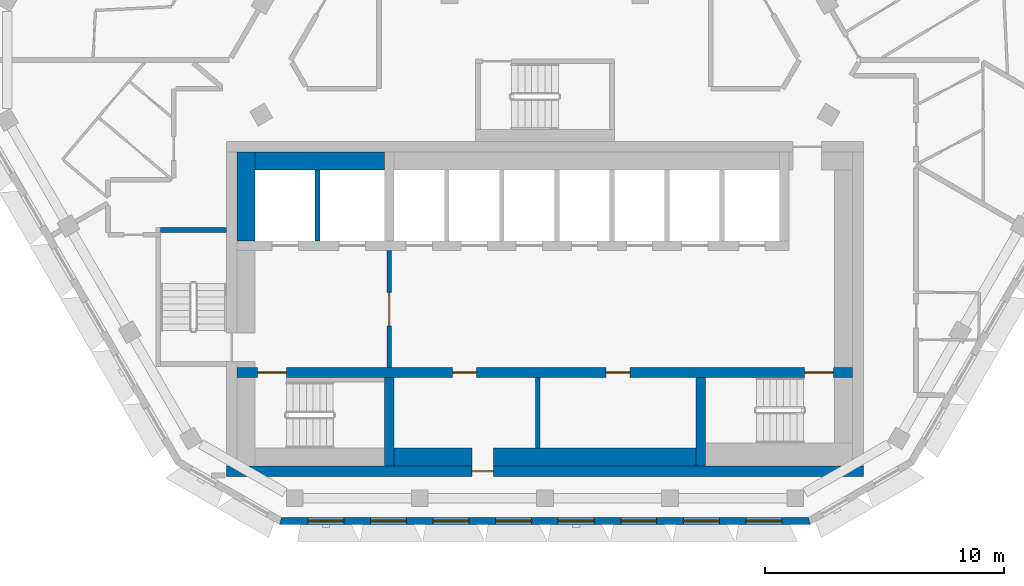
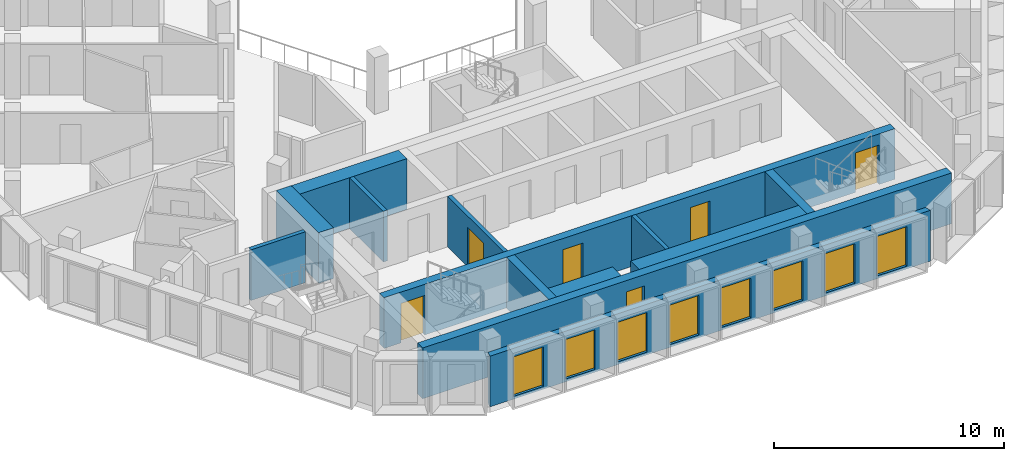
# One storey, part 3 of 16: 13 walls, 8 windows, 6 doors, 14 openings.
"""IFC4 building model written with IfcOpenShell, lengths in metres."""

from ifc_helpers import new_model, si_unit, direction, frame, frame_2d, origin, place, context, subcontext, project, spatial, polyline, rectangle, outline, extrude, material, layer, layer_set, type_object, element, fill, save


model = new_model("IFC4")

# Units and contexts
model_context = context("Model", 3, precision=1e-05, world=origin(), true_north=direction((0.0, 1.0)))
body_context = subcontext(model_context, "Body", "Model", "MODEL_VIEW")
ifc_project = project(units=[si_unit("LENGTHUNIT", "METRE"), si_unit("AREAUNIT", "SQUARE_METRE"), si_unit("VOLUMEUNIT", "CUBIC_METRE"), si_unit("PLANEANGLEUNIT", "RADIAN"), si_unit("MASSUNIT", "GRAM", prefix="KILO")], contexts=[model_context])

# Site, building, storey
site_placement = place(None, origin())
site = spatial("IfcSite", under=ifc_project, at=site_placement, CompositionType="ELEMENT")
building_placement = place(site_placement, origin())
building = spatial("IfcBuilding", under=site, at=building_placement, Name="Beryl Residences", CompositionType="ELEMENT")
storey_placement = place(building_placement, frame((0.0, 0.0, 238.800048828125)))
storey = spatial("IfcBuildingStorey", under=building, at=storey_placement, Name="L74", CompositionType="ELEMENT", Elevation=238.800048828125)

# Wall, openings, windows
ifc_material_1 = material(Name="Composite metal panel with mineral wool insulation")
ifc_layer_1 = layer(ifc_material_1, 0.300048828125)
ifc_layer_set_1 = layer_set([ifc_layer_1], Name="ES1 pale metal composite panel wall 300 mm")
wall_type_1 = type_object("IfcWallType", Name="ES1 pale metal composite panel wall 300 mm", PredefinedType="SOLIDWALL", material=ifc_layer_set_1)
wall_1_placement = place(storey_placement, frame((-11.0849609375, -20.85009765625, 0.0), z_axis=(0.0, 0.0, 1.0), x_axis=(1.0, 0.0, 0.0)))
wall_1 = element("IfcWall", 1, at=wall_1_placement, inside=storey, type_object=wall_type_1, Name="ES1 external wall L74 S", PredefinedType="SOLIDWALL", context=body_context, shape_type="SweptSolid", body=[
    extrude(outline(polyline([(0.0, -0.14990234375), (22.169921875, -0.14990234375), (22.089599609375, 0.14990234375), (0.080322265625, 0.14990234375), (0.0, -0.14990234375)])), origin(), (0.0, 0.0, 1.0), 2.699951171875),
])
opening_1_placement = place(wall_1_placement, frame((1.19091796875, 0.0, 0.14990234375)))
opening_1 = element("IfcOpeningElement", 2, at=opening_1_placement, cuts=wall_1, Name="Opening W1", PredefinedType="OPENING", context=body_context, shape_type="SweptSolid", body=[
    extrude(rectangle(XDim=1.5, YDim=2.10009765625, at=frame_2d((0.75, 1.050048828125))), frame((0.0, 0.159912109375, 0.0), z_axis=(0.0, -1.0, 0.0), x_axis=(1.0, 0.0, 0.0)), (0.0, 0.0, 1.0), 0.320068359375),
])
opening_2_placement = place(wall_1_placement, frame((3.803955078125, 0.0, 0.14990234375)))
opening_2 = element("IfcOpeningElement", 3, at=opening_2_placement, cuts=wall_1, Name="Opening W1", PredefinedType="OPENING", context=body_context, shape_type="SweptSolid", body=[
    extrude(rectangle(XDim=1.5, YDim=2.10009765625, at=frame_2d((0.75, 1.050048828125))), frame((0.0, 0.159912109375, 0.0), z_axis=(0.0, -1.0, 0.0), x_axis=(1.0, 0.0, 0.0)), (0.0, 0.0, 1.0), 0.320068359375),
])
opening_3_placement = place(wall_1_placement, frame((6.416015625, 0.0, 0.14990234375)))
opening_3 = element("IfcOpeningElement", 4, at=opening_3_placement, cuts=wall_1, Name="Opening W1", PredefinedType="OPENING", context=body_context, shape_type="SweptSolid", body=[
    extrude(rectangle(XDim=1.5, YDim=2.10009765625, at=frame_2d((0.75, 1.050048828125))), frame((0.0, 0.159912109375, 0.0), z_axis=(0.0, -1.0, 0.0), x_axis=(1.0, 0.0, 0.0)), (0.0, 0.0, 1.0), 0.320068359375),
])
opening_4_placement = place(wall_1_placement, frame((9.029052734375, 0.0, 0.14990234375)))
opening_4 = element("IfcOpeningElement", 5, at=opening_4_placement, cuts=wall_1, Name="Opening W1", PredefinedType="OPENING", context=body_context, shape_type="SweptSolid", body=[
    extrude(rectangle(XDim=1.5, YDim=2.10009765625, at=frame_2d((0.75, 1.050048828125))), frame((0.0, 0.159912109375, 0.0), z_axis=(0.0, -1.0, 0.0), x_axis=(1.0, 0.0, 0.0)), (0.0, 0.0, 1.0), 0.320068359375),
])
opening_5_placement = place(wall_1_placement, frame((11.64111328125, 0.0, 0.14990234375)))
opening_5 = element("IfcOpeningElement", 6, at=opening_5_placement, cuts=wall_1, Name="Opening W1", PredefinedType="OPENING", context=body_context, shape_type="SweptSolid", body=[
    extrude(rectangle(XDim=1.5, YDim=2.10009765625, at=frame_2d((0.75, 1.050048828125))), frame((0.0, 0.159912109375, 0.0), z_axis=(0.0, -1.0, 0.0), x_axis=(1.0, 0.0, 0.0)), (0.0, 0.0, 1.0), 0.320068359375),
])
opening_6_placement = place(wall_1_placement, frame((14.25390625, 0.0, 0.14990234375)))
opening_6 = element("IfcOpeningElement", 7, at=opening_6_placement, cuts=wall_1, Name="Opening W1", PredefinedType="OPENING", context=body_context, shape_type="SweptSolid", body=[
    extrude(rectangle(XDim=1.5, YDim=2.10009765625, at=frame_2d((0.75, 1.050048828125))), frame((0.0, 0.159912109375, 0.0), z_axis=(0.0, -1.0, 0.0), x_axis=(1.0, 0.0, 0.0)), (0.0, 0.0, 1.0), 0.320068359375),
])
opening_7_placement = place(wall_1_placement, frame((16.865966796875, 0.0, 0.14990234375)))
opening_7 = element("IfcOpeningElement", 8, at=opening_7_placement, cuts=wall_1, Name="Opening W1", PredefinedType="OPENING", context=body_context, shape_type="SweptSolid", body=[
    extrude(rectangle(XDim=1.5, YDim=2.10009765625, at=frame_2d((0.75, 1.050048828125))), frame((0.0, 0.159912109375, 0.0), z_axis=(0.0, -1.0, 0.0), x_axis=(1.0, 0.0, 0.0)), (0.0, 0.0, 1.0), 0.320068359375),
])
opening_8_placement = place(wall_1_placement, frame((19.47900390625, 0.0, 0.14990234375)))
opening_8 = element("IfcOpeningElement", 9, at=opening_8_placement, cuts=wall_1, Name="Opening W1", PredefinedType="OPENING", context=body_context, shape_type="SweptSolid", body=[
    extrude(rectangle(XDim=1.5, YDim=2.10009765625, at=frame_2d((0.75, 1.050048828125))), frame((0.0, 0.159912109375, 0.0), z_axis=(0.0, -1.0, 0.0), x_axis=(1.0, 0.0, 0.0)), (0.0, 0.0, 1.0), 0.320068359375),
])
ifc_material_2 = material(Name="Aluminium and clear glass", Category="aluminium")
window_type = type_object("IfcWindowType", Name="W1 cell window 1500 x 2100 mm", PartitioningType="SINGLE_PANEL", PredefinedType="WINDOW", material=ifc_material_2)
window_1_placement = place(opening_1_placement, origin())
window_1 = element("IfcWindow", 10, at=window_1_placement, inside=storey, type_object=window_type, Name="W1 window L74 S 1", OverallHeight=2.10009765625, OverallWidth=1.5, PartitioningType="SINGLE_PANEL", PredefinedType="WINDOW", context=body_context, shape_type="SweptSolid", body=[
    extrude(rectangle(XDim=1.5, YDim=2.10009765625, at=frame_2d((0.75, 1.050048828125))), frame((0.0, 0.030029296875, 0.0), z_axis=(0.0, -1.0, 0.0), x_axis=(1.0, 0.0, 0.0)), (0.0, 0.0, 1.0), 0.06005859375),
])
fill(opening_1, window_1)
window_2_placement = place(opening_2_placement, origin())
window_2 = element("IfcWindow", 11, at=window_2_placement, inside=storey, type_object=window_type, Name="W1 window L74 S 2", OverallHeight=2.10009765625, OverallWidth=1.5, PartitioningType="SINGLE_PANEL", PredefinedType="WINDOW", context=body_context, shape_type="SweptSolid", body=[
    extrude(rectangle(XDim=1.5, YDim=2.10009765625, at=frame_2d((0.75, 1.050048828125))), frame((0.0, 0.030029296875, 0.0), z_axis=(0.0, -1.0, 0.0), x_axis=(1.0, 0.0, 0.0)), (0.0, 0.0, 1.0), 0.06005859375),
])
fill(opening_2, window_2)
window_3_placement = place(opening_3_placement, origin())
window_3 = element("IfcWindow", 12, at=window_3_placement, inside=storey, type_object=window_type, Name="W1 window L74 S 3", OverallHeight=2.10009765625, OverallWidth=1.5, PartitioningType="SINGLE_PANEL", PredefinedType="WINDOW", context=body_context, shape_type="SweptSolid", body=[
    extrude(rectangle(XDim=1.5, YDim=2.10009765625, at=frame_2d((0.75, 1.050048828125))), frame((0.0, 0.030029296875, 0.0), z_axis=(0.0, -1.0, 0.0), x_axis=(1.0, 0.0, 0.0)), (0.0, 0.0, 1.0), 0.06005859375),
])
fill(opening_3, window_3)
window_4_placement = place(opening_4_placement, origin())
window_4 = element("IfcWindow", 13, at=window_4_placement, inside=storey, type_object=window_type, Name="W1 window L74 S 4", OverallHeight=2.10009765625, OverallWidth=1.5, PartitioningType="SINGLE_PANEL", PredefinedType="WINDOW", context=body_context, shape_type="SweptSolid", body=[
    extrude(rectangle(XDim=1.5, YDim=2.10009765625, at=frame_2d((0.75, 1.050048828125))), frame((0.0, 0.030029296875, 0.0), z_axis=(0.0, -1.0, 0.0), x_axis=(1.0, 0.0, 0.0)), (0.0, 0.0, 1.0), 0.06005859375),
])
fill(opening_4, window_4)
window_5_placement = place(opening_5_placement, origin())
window_5 = element("IfcWindow", 14, at=window_5_placement, inside=storey, type_object=window_type, Name="W1 window L74 S 5", OverallHeight=2.10009765625, OverallWidth=1.5, PartitioningType="SINGLE_PANEL", PredefinedType="WINDOW", context=body_context, shape_type="SweptSolid", body=[
    extrude(rectangle(XDim=1.5, YDim=2.10009765625, at=frame_2d((0.75, 1.050048828125))), frame((0.0, 0.030029296875, 0.0), z_axis=(0.0, -1.0, 0.0), x_axis=(1.0, 0.0, 0.0)), (0.0, 0.0, 1.0), 0.06005859375),
])
fill(opening_5, window_5)
window_6_placement = place(opening_6_placement, origin())
window_6 = element("IfcWindow", 15, at=window_6_placement, inside=storey, type_object=window_type, Name="W1 window L74 S 6", OverallHeight=2.10009765625, OverallWidth=1.5, PartitioningType="SINGLE_PANEL", PredefinedType="WINDOW", context=body_context, shape_type="SweptSolid", body=[
    extrude(rectangle(XDim=1.5, YDim=2.10009765625, at=frame_2d((0.75, 1.050048828125))), frame((0.0, 0.030029296875, 0.0), z_axis=(0.0, -1.0, 0.0), x_axis=(1.0, 0.0, 0.0)), (0.0, 0.0, 1.0), 0.06005859375),
])
fill(opening_6, window_6)
window_7_placement = place(opening_7_placement, origin())
window_7 = element("IfcWindow", 16, at=window_7_placement, inside=storey, type_object=window_type, Name="W1 window L74 S 7", OverallHeight=2.10009765625, OverallWidth=1.5, PartitioningType="SINGLE_PANEL", PredefinedType="WINDOW", context=body_context, shape_type="SweptSolid", body=[
    extrude(rectangle(XDim=1.5, YDim=2.10009765625, at=frame_2d((0.75, 1.050048828125))), frame((0.0, 0.030029296875, 0.0), z_axis=(0.0, -1.0, 0.0), x_axis=(1.0, 0.0, 0.0)), (0.0, 0.0, 1.0), 0.06005859375),
])
fill(opening_7, window_7)
window_8_placement = place(opening_8_placement, origin())
window_8 = element("IfcWindow", 17, at=window_8_placement, inside=storey, type_object=window_type, Name="W1 window L74 S 8", OverallHeight=2.10009765625, OverallWidth=1.5, PartitioningType="SINGLE_PANEL", PredefinedType="WINDOW", context=body_context, shape_type="SweptSolid", body=[
    extrude(rectangle(XDim=1.5, YDim=2.10009765625, at=frame_2d((0.75, 1.050048828125))), frame((0.0, 0.030029296875, 0.0), z_axis=(0.0, -1.0, 0.0), x_axis=(1.0, 0.0, 0.0)), (0.0, 0.0, 1.0), 0.06005859375),
])
fill(opening_8, window_8)

# Wall, opening, door
ifc_material_3 = material(Name="Concrete masonry", Category="masonry")
ifc_layer_2 = layer(ifc_material_3, 0.199951171875)
ifc_layer_set_2 = layer_set([ifc_layer_2], Name="PT13 lobby wall 200 mm")
wall_type_2 = type_object("IfcWallType", Name="PT13 lobby wall 200 mm", PredefinedType="PARTITIONING", material=ifc_layer_set_2)
wall_2_placement = place(storey_placement, frame((-6.5, -14.449951171875, 0.0), z_axis=(0.0, 0.0, 1.0), x_axis=(0.0, 1.0, 0.0)))
wall_2 = element("IfcWall", 18, at=wall_2_placement, inside=storey, type_object=wall_type_2, Name="Lobby wall 12", PredefinedType="PARTITIONING", context=body_context, shape_type="SweptSolid", body=[
    extrude(rectangle(XDim=4.89990234375, YDim=0.199951171875, at=frame_2d((2.449951171875, 0.0))), origin(), (0.0, 0.0, 1.0), 2.699951171875),
])
opening_9_placement = place(wall_2_placement, frame((3.14990234375, 0.0, 0.0), z_axis=(0.0, 0.0, 1.0), x_axis=(-1.0, 0.0, 0.0)))
opening_9 = element("IfcOpeningElement", 19, at=opening_9_placement, cuts=wall_2, Name="Opening FD-FFL", PredefinedType="OPENING", context=body_context, shape_type="SweptSolid", body=[
    extrude(rectangle(XDim=1.39990234375, YDim=2.10009765625, at=frame_2d((0.699951171875, 1.050048828125))), frame((0.0, 0.10986328125, 0.0), z_axis=(0.0, -1.0, 0.0), x_axis=(1.0, 0.0, 0.0)), (0.0, 0.0, 1.0), 0.219970703125),
])
ifc_material_4 = material(Name="Steel door leaf in steel frame", Category="steel")
door_type_1 = type_object("IfcDoorType", Name="D5 lobby door 1400 x 2100 mm", OperationType="DOUBLE_DOOR_SINGLE_SWING", PredefinedType="DOOR", material=ifc_material_4)
door_1_placement = place(opening_9_placement, origin())
door_1 = element("IfcDoor", 20, at=door_1_placement, inside=storey, type_object=door_type_1, Name="Door FD-FFL L74 001", OperationType="DOUBLE_DOOR_SINGLE_SWING", OverallHeight=2.10009765625, OverallWidth=1.39990234375, PredefinedType="DOOR", context=body_context, shape_type="SweptSolid", body=[
    extrude(rectangle(XDim=1.39990234375, YDim=2.10009765625, at=frame_2d((0.699951171875, 1.050048828125))), frame((0.0, 0.02490234375, 0.0), z_axis=(0.0, -1.0, 0.0), x_axis=(1.0, 0.0, 0.0)), (0.0, 0.0, 1.0), 0.050048828125),
])
fill(opening_9, door_1)

# Walls
ifc_material_5 = material(Name="Concrete C40/50", Category="concrete")
ifc_layer_3 = layer(ifc_material_5, 0.199951171875)
ifc_layer_set_3 = layer_set([ifc_layer_3], Name="PT5 stair enclosure wall 200 mm reinforced concrete C40/50")
wall_type_3 = type_object("IfcWallType", Name="PT5 stair enclosure wall 200 mm reinforced concrete C40/50", PredefinedType="SOLIDWALL", material=ifc_layer_set_3)
wall_3_placement = place(storey_placement, frame((-16.050048828125, -8.699951171875, 0.0), z_axis=(0.0, 0.0, 1.0), x_axis=(1.0, 0.0, 0.0)))
element("IfcWall", 21, at=wall_3_placement, inside=storey, type_object=wall_type_3, Name="Stair wall 03", PredefinedType="SOLIDWALL", context=body_context, shape_type="SweptSolid", body=[
    extrude(rectangle(XDim=2.75, YDim=0.199951171875, at=frame_2d((1.375, 0.0))), origin(), (0.0, 0.0, 1.0), 2.699951171875),
])
ifc_material_6 = material(Name="Concrete C40/50", Category="concrete")
ifc_layer_4 = layer(ifc_material_6, 0.199951171875)
ifc_layer_set_4 = layer_set([ifc_layer_4], Name="PT6 lift shaft wall 200 mm reinforced concrete C40/50")
wall_type_4 = type_object("IfcWallType", Name="PT6 lift shaft wall 200 mm reinforced concrete C40/50", PredefinedType="SOLIDWALL", material=ifc_layer_set_4)
wall_4_placement = place(storey_placement, frame((-9.5, -9.14990234375, 0.0), z_axis=(0.0, 0.0, 1.0), x_axis=(0.0, 1.0, 0.0)))
element("IfcWall", 22, at=wall_4_placement, inside=storey, type_object=wall_type_4, Name="Lift shaft wall 11", PredefinedType="SOLIDWALL", context=body_context, shape_type="SweptSolid", body=[
    extrude(rectangle(XDim=2.949951171875, YDim=0.199951171875, at=frame_2d((1.47509765625, 0.0))), origin(), (0.0, 0.0, 1.0), 2.699951171875),
])
ifc_material_7 = material(Name="Concrete C40/50", Category="concrete")
ifc_layer_5 = layer(ifc_material_7, 0.75)
ifc_layer_set_5 = layer_set([ifc_layer_5], Name="PT6-750 lift shaft wall 750 mm")
wall_type_5 = type_object("IfcWallType", Name="PT6-750 lift shaft wall 750 mm", PredefinedType="SOLIDWALL", material=ifc_layer_set_5)
wall_5_placement = place(storey_placement, frame((-12.47509765625, -9.14990234375, 0.0), z_axis=(0.0, 0.0, 1.0), x_axis=(0.0, 1.0, 0.0)))
element("IfcWall", 23, at=wall_5_placement, inside=storey, type_object=wall_type_5, Name="Lift shaft wall 07", PredefinedType="SOLIDWALL", context=body_context, shape_type="SweptSolid", body=[
    extrude(rectangle(XDim=3.699951171875, YDim=0.75, at=frame_2d((1.85009765625, 0.0))), origin(), (0.0, 0.0, 1.0), 2.699951171875),
])
wall_6_placement = place(storey_placement, frame((-12.10009765625, -5.824951171875, 0.0), z_axis=(0.0, 0.0, 1.0), x_axis=(1.0, 0.0, 0.0)))
element("IfcWall", 24, at=wall_6_placement, inside=storey, type_object=wall_type_5, Name="Lift shaft wall 09", PredefinedType="SOLIDWALL", context=body_context, shape_type="SweptSolid", body=[
    extrude(rectangle(XDim=5.400146484375, YDim=0.75, at=frame_2d((2.7001953125, 0.0))), origin(), (0.0, 0.0, 1.0), 2.699951171875),
])
ifc_material_8 = material(Name="Concrete masonry", Category="masonry")
ifc_layer_6 = layer(ifc_material_8, 0.199951171875)
ifc_layer_set_6 = layer_set([ifc_layer_6], Name="PT8-200 service room wall 200 mm")
wall_type_6 = type_object("IfcWallType", Name="PT8-200 service room wall 200 mm", PredefinedType="PARTITIONING", material=ifc_layer_set_6)
wall_7_placement = place(storey_placement, frame((-0.300048828125, -17.800048828125, 0.0), z_axis=(0.0, 0.0, 1.0), x_axis=(0.0, 1.0, 0.0)))
element("IfcWall", 25, at=wall_7_placement, inside=storey, type_object=wall_type_6, Name="Core room wall 18", PredefinedType="PARTITIONING", context=body_context, shape_type="SweptSolid", body=[
    extrude(rectangle(XDim=2.949951171875, YDim=0.199951171875, at=frame_2d((1.47509765625, 0.0))), origin(), (0.0, 0.0, 1.0), 2.699951171875),
])
ifc_material_9 = material(Name="Concrete masonry", Category="masonry")
ifc_layer_7 = layer(ifc_material_9, 0.75)
ifc_layer_set_7 = layer_set([ifc_layer_7], Name="PT8-750 service room wall 750 mm")
wall_type_7 = type_object("IfcWallType", Name="PT8-750 service room wall 750 mm", PredefinedType="PARTITIONING", material=ifc_layer_set_7)
wall_8_placement = place(storey_placement, frame((-6.300048828125, -18.175048828125, 0.0), z_axis=(0.0, 0.0, 1.0), x_axis=(1.0, 0.0, 0.0)))
element("IfcWall", 26, at=wall_8_placement, inside=storey, type_object=wall_type_7, Name="Core room wall 13", PredefinedType="PARTITIONING", context=body_context, shape_type="SweptSolid", body=[
    extrude(rectangle(XDim=3.25, YDim=0.75, at=frame_2d((1.625, 0.0))), origin(), (0.0, 0.0, 1.0), 2.699951171875),
])
wall_9_placement = place(storey_placement, frame((-2.14990234375, -18.175048828125, 0.0), z_axis=(0.0, 0.0, 1.0), x_axis=(1.0, 0.0, 0.0)))
element("IfcWall", 27, at=wall_9_placement, inside=storey, type_object=wall_type_7, Name="Core room wall 16", PredefinedType="PARTITIONING", context=body_context, shape_type="SweptSolid", body=[
    extrude(rectangle(XDim=8.449951171875, YDim=0.75, at=frame_2d((4.22509765625, 0.0))), origin(), (0.0, 0.0, 1.0), 2.699951171875),
])

# Wall, openings, doors
ifc_material_10 = material(Name="Concrete C50/60", Category="concrete")
ifc_layer_8 = layer(ifc_material_10, 0.39990234375)
ifc_layer_set_8 = layer_set([ifc_layer_8], Name="SW10 core internal wall 400 mm C50/60")
wall_type_8 = type_object("IfcWallType", Name="SW10 core internal wall 400 mm C50/60", PredefinedType="SHEAR", material=ifc_layer_set_8)
wall_10_placement = place(storey_placement, frame((-12.85009765625, -14.64990234375, 0.0), z_axis=(0.0, 0.0, 1.0), x_axis=(1.0, 0.0, 0.0)))
wall_10 = element("IfcWall", 28, at=wall_10_placement, inside=storey, type_object=wall_type_8, Name="Core wall SP1 L74", PredefinedType="SHEAR", context=body_context, shape_type="SweptSolid", body=[
    extrude(rectangle(XDim=25.7001953125, YDim=0.39990234375, at=frame_2d((12.85009765625, 0.0))), origin(), (0.0, 0.0, 1.0), 2.699951171875),
])
opening_10_placement = place(wall_10_placement, frame((2.050048828125, 0.0, 0.0), z_axis=(0.0, 0.0, 1.0), x_axis=(-1.0, 0.0, 0.0)))
opening_10 = element("IfcOpeningElement", 29, at=opening_10_placement, cuts=wall_10, Name="Opening SD-1", PredefinedType="OPENING", context=body_context, shape_type="SweptSolid", body=[
    extrude(rectangle(XDim=1.199951171875, YDim=2.10009765625, at=frame_2d((0.60009765625, 1.050048828125))), frame((0.0, 0.2099609375, 0.0), z_axis=(0.0, -1.0, 0.0), x_axis=(1.0, 0.0, 0.0)), (0.0, 0.0, 1.0), 0.419921875),
])
opening_11_placement = place(wall_10_placement, frame((24.89990234375, 0.0, 0.0), z_axis=(0.0, 0.0, 1.0), x_axis=(-1.0, 0.0, 0.0)))
opening_11 = element("IfcOpeningElement", 30, at=opening_11_placement, cuts=wall_10, Name="Opening SD-3", PredefinedType="OPENING", context=body_context, shape_type="SweptSolid", body=[
    extrude(rectangle(XDim=1.199951171875, YDim=2.10009765625, at=frame_2d((0.60009765625, 1.050048828125))), frame((0.0, 0.2099609375, 0.0), z_axis=(0.0, -1.0, 0.0), x_axis=(1.0, 0.0, 0.0)), (0.0, 0.0, 1.0), 0.419921875),
])
opening_12_placement = place(wall_10_placement, frame((10.0, 0.0, 0.0), z_axis=(0.0, 0.0, 1.0), x_axis=(-1.0, 0.0, 0.0)))
opening_12 = element("IfcOpeningElement", 31, at=opening_12_placement, cuts=wall_10, Name="Opening CD-D-S1", PredefinedType="OPENING", context=body_context, shape_type="SweptSolid", body=[
    extrude(rectangle(XDim=1.0, YDim=2.10009765625, at=frame_2d((0.5, 1.050048828125))), frame((0.0, 0.2099609375, 0.0), z_axis=(0.0, -1.0, 0.0), x_axis=(1.0, 0.0, 0.0)), (0.0, 0.0, 1.0), 0.419921875),
])
opening_13_placement = place(wall_10_placement, frame((16.39990234375, 0.0, 0.0), z_axis=(0.0, 0.0, 1.0), x_axis=(-1.0, 0.0, 0.0)))
opening_13 = element("IfcOpeningElement", 32, at=opening_13_placement, cuts=wall_10, Name="Opening CD-D-S2", PredefinedType="OPENING", context=body_context, shape_type="SweptSolid", body=[
    extrude(rectangle(XDim=1.0, YDim=2.10009765625, at=frame_2d((0.5, 1.050048828125))), frame((0.0, 0.2099609375, 0.0), z_axis=(0.0, -1.0, 0.0), x_axis=(1.0, 0.0, 0.0)), (0.0, 0.0, 1.0), 0.419921875),
])
ifc_material_11 = material(Name="Steel door leaf in steel frame", Category="steel")
door_type_2 = type_object("IfcDoorType", Name="D18 service room door 1000 x 2100 mm", OperationType="SINGLE_SWING_LEFT", PredefinedType="DOOR", material=ifc_material_11)
door_2_placement = place(opening_12_placement, origin())
door_2 = element("IfcDoor", 33, at=door_2_placement, inside=storey, type_object=door_type_2, Name="Door CD-D-S1 L74 001", OperationType="SINGLE_SWING_RIGHT", OverallHeight=2.10009765625, OverallWidth=1.0, PredefinedType="DOOR", context=body_context, shape_type="SweptSolid", body=[
    extrude(rectangle(XDim=1.0, YDim=2.10009765625, at=frame_2d((0.5, 1.050048828125))), frame((0.0, 0.02490234375, 0.0), z_axis=(0.0, -1.0, 0.0), x_axis=(1.0, 0.0, 0.0)), (0.0, 0.0, 1.0), 0.050048828125),
])
fill(opening_12, door_2)
door_3_placement = place(opening_13_placement, origin())
door_3 = element("IfcDoor", 34, at=door_3_placement, inside=storey, type_object=door_type_2, Name="Door CD-D-S2 L74 001", OperationType="SINGLE_SWING_LEFT", OverallHeight=2.10009765625, OverallWidth=1.0, PredefinedType="DOOR", context=body_context, shape_type="SweptSolid", body=[
    extrude(rectangle(XDim=1.0, YDim=2.10009765625, at=frame_2d((0.5, 1.050048828125))), frame((0.0, 0.02490234375, 0.0), z_axis=(0.0, -1.0, 0.0), x_axis=(1.0, 0.0, 0.0)), (0.0, 0.0, 1.0), 0.050048828125),
])
fill(opening_13, door_3)
ifc_material_12 = material(Name="Steel door leaf in steel frame", Category="steel")
door_type_3 = type_object("IfcDoorType", Name="D4 stair door 1200 x 2100 mm", OperationType="SINGLE_SWING_LEFT", PredefinedType="DOOR", material=ifc_material_12)
door_4_placement = place(opening_10_placement, origin())
door_4 = element("IfcDoor", 35, at=door_4_placement, inside=storey, type_object=door_type_3, Name="Door SD-1 L74 001", OperationType="SINGLE_SWING_RIGHT", OverallHeight=2.10009765625, OverallWidth=1.199951171875, PredefinedType="DOOR", context=body_context, shape_type="SweptSolid", body=[
    extrude(rectangle(XDim=1.199951171875, YDim=2.10009765625, at=frame_2d((0.60009765625, 1.050048828125))), frame((0.0, 0.02490234375, 0.0), z_axis=(0.0, -1.0, 0.0), x_axis=(1.0, 0.0, 0.0)), (0.0, 0.0, 1.0), 0.050048828125),
])
fill(opening_10, door_4)
door_5_placement = place(opening_11_placement, origin())
door_5 = element("IfcDoor", 36, at=door_5_placement, inside=storey, type_object=door_type_3, Name="Door SD-3 L74 001", OperationType="SINGLE_SWING_RIGHT", OverallHeight=2.10009765625, OverallWidth=1.199951171875, PredefinedType="DOOR", context=body_context, shape_type="SweptSolid", body=[
    extrude(rectangle(XDim=1.199951171875, YDim=2.10009765625, at=frame_2d((0.60009765625, 1.050048828125))), frame((0.0, 0.02490234375, 0.0), z_axis=(0.0, -1.0, 0.0), x_axis=(1.0, 0.0, 0.0)), (0.0, 0.0, 1.0), 0.050048828125),
])
fill(opening_11, door_5)

# Walls
for number, where, z_axis, x_axis, name in (
    (37, (-6.5, -18.550048828125, 0.0), (0.0, 0.0, 1.0), (0.0, 1.0, 0.0), "Core wall XS1 L74"),
    (38, (6.5, -18.550048828125, 0.0), (0.0, 0.0, 1.0), (0.0, 1.0, 0.0), "Core wall XS2 L74"),
):
    element("IfcWall", number, at=place(storey_placement, frame(where, z_axis=z_axis, x_axis=x_axis)), inside=storey, type_object=wall_type_8, Name=name, PredefinedType="SHEAR", context=body_context, shape_type="SweptSolid", body=[
        extrude(rectangle(XDim=3.699951171875, YDim=0.39990234375, at=frame_2d((1.85009765625, 0.0))), origin(), (0.0, 0.0, 1.0), 2.699951171875),
    ])

# Wall, opening, door
ifc_material_13 = material(Name="Concrete C50/60", Category="concrete")
ifc_layer_9 = layer(ifc_material_13, 0.449951171875)
ifc_layer_set_9 = layer_set([ifc_layer_9], Name="SW5 core outer wall 450 mm C50/60")
wall_type_9 = type_object("IfcWallType", Name="SW5 core outer wall 450 mm C50/60", PredefinedType="SHEAR", material=ifc_layer_set_9)
wall_11_placement = place(storey_placement, frame((-13.300048828125, -18.77490234375, 0.0), z_axis=(0.0, 0.0, 1.0), x_axis=(1.0, 0.0, 0.0)))
wall_11 = element("IfcWall", 39, at=wall_11_placement, inside=storey, type_object=wall_type_9, Name="Core wall S L74", PredefinedType="SHEAR", context=body_context, shape_type="SweptSolid", body=[
    extrude(rectangle(XDim=26.60009765625, YDim=0.449951171875, at=frame_2d((13.300048828125, 0.0))), origin(), (0.0, 0.0, 1.0), 2.699951171875),
])
opening_14_placement = place(wall_11_placement, frame((10.25, 0.0, 0.0)))
opening_14 = element("IfcOpeningElement", 40, at=opening_14_placement, cuts=wall_11, Name="Opening RD-RS", PredefinedType="OPENING", context=body_context, shape_type="SweptSolid", body=[
    extrude(rectangle(XDim=0.89990234375, YDim=2.10009765625, at=frame_2d((0.449951171875, 1.050048828125))), frame((0.0, 0.23486328125, 0.0), z_axis=(0.0, -1.0, 0.0), x_axis=(1.0, 0.0, 0.0)), (0.0, 0.0, 1.0), 0.469970703125),
])
ifc_material_14 = material(Name="Steel door leaf in steel frame", Category="steel")
door_type_4 = type_object("IfcDoorType", Name="D23 riser door 900 x 2100 mm", OperationType="SINGLE_SWING_LEFT", PredefinedType="DOOR", material=ifc_material_14)
door_6_placement = place(opening_14_placement, origin())
door_6 = element("IfcDoor", 41, at=door_6_placement, inside=storey, type_object=door_type_4, Name="Door RD-RS L74 001", OperationType="SINGLE_SWING_RIGHT", OverallHeight=2.10009765625, OverallWidth=0.89990234375, PredefinedType="DOOR", context=body_context, shape_type="SweptSolid", body=[
    extrude(rectangle(XDim=0.89990234375, YDim=2.10009765625, at=frame_2d((0.449951171875, 1.050048828125))), frame((0.0, 0.02490234375, 0.0), z_axis=(0.0, -1.0, 0.0), x_axis=(1.0, 0.0, 0.0)), (0.0, 0.0, 1.0), 0.050048828125),
])
fill(opening_14, door_6)

save(model, "model.ifc")
